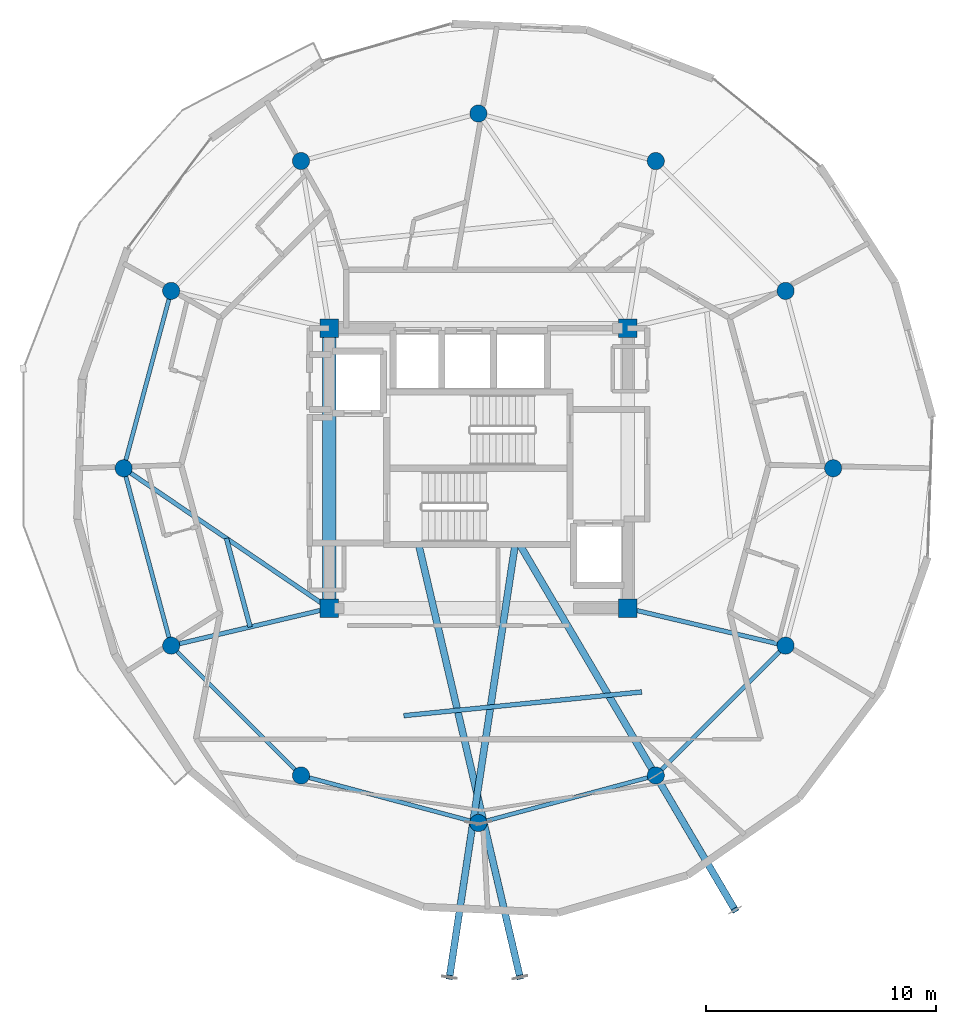
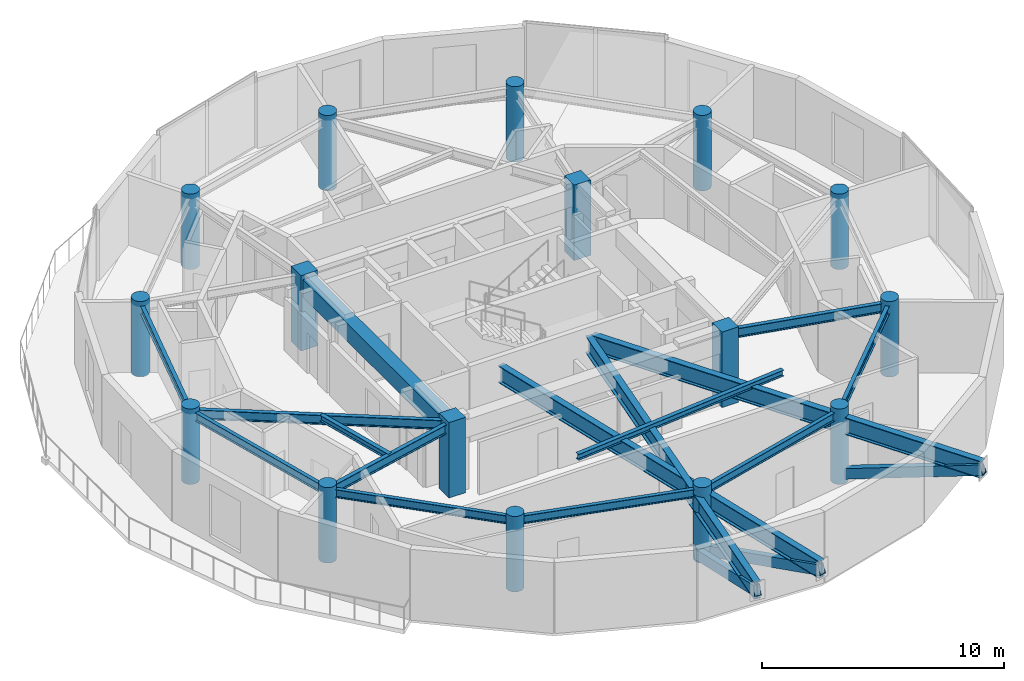
# One storey, part 1 of 16: 18 beams, 16 columns, 3 members.
"""IFC4 building model written with IfcOpenShell, lengths in metres."""

from ifc_helpers import new_model, si_unit, direction, frame, origin, origin_2d, place, context, subcontext, project, spatial, rectangle, hollow_rectangle, circle, i_section, extrude, material, material_profile, profile_set, type_object, element, save


model = new_model("IFC4")

# Units and contexts
model_context = context("Model", 3, precision=1e-05, world=origin(), true_north=direction((0.0, 1.0)))
body_context = subcontext(model_context, "Body", "Model", "MODEL_VIEW")
ifc_project = project(units=[si_unit("LENGTHUNIT", "METRE"), si_unit("AREAUNIT", "SQUARE_METRE"), si_unit("VOLUMEUNIT", "CUBIC_METRE"), si_unit("PLANEANGLEUNIT", "RADIAN"), si_unit("MASSUNIT", "GRAM", prefix="KILO")], contexts=[model_context])

# Site, building, storey
site_placement = place(None, origin())
site = spatial("IfcSite", under=ifc_project, at=site_placement, CompositionType="ELEMENT")
building_placement = place(site_placement, origin())
building = spatial("IfcBuilding", under=site, at=building_placement, Name="Solvirekh Grand Hotel", CompositionType="ELEMENT")
storey_placement = place(building_placement, frame((0.0, 0.0, 258.199951171875)))
storey = spatial("IfcBuildingStorey", under=building, at=storey_placement, Name="L67", CompositionType="ELEMENT", Elevation=258.199951171875)

# Columns
ifc_material_1 = material(Name="Concrete C50/60", Category="concrete")
ifc_material_profile_1 = material_profile(ifc_material_1, rectangle(XDim=0.800048828125, YDim=0.800048828125, at=origin_2d()), Name="RC 800X800")
ifc_profile_set_1 = profile_set([ifc_material_profile_1], Name="Concrete C50/60")
column_type_1 = type_object("IfcColumnType", Name="Col_Core_800", PredefinedType="COLUMN", material=ifc_profile_set_1)
for number, where, z_axis, x_axis, name in (
    (1, (-6.5, -6.10009765625, 0.0), (0.0, 0.0, 1.0), (1.0, 0.0, 0.0), "L67 core corner column CC1"),
    (2, (6.5, -6.10009765625, 0.0), (0.0, 0.0, 1.0), (1.0, 0.0, 0.0), "L67 core corner column CC2"),
    (3, (6.5, 6.10009765625, 0.0), (0.0, 0.0, 1.0), (1.0, 0.0, 0.0), "L67 core corner column CC3"),
    (4, (-6.5, 6.10009765625, 0.0), (0.0, 0.0, 1.0), (1.0, 0.0, 0.0), "L67 core corner column CC4"),
):
    element("IfcColumn", number, at=place(storey_placement, frame(where, z_axis=z_axis, x_axis=x_axis)), inside=storey, type_object=column_type_1, Name=name, PredefinedType="COLUMN", context=body_context, shape_type="SweptSolid", body=[
        extrude(rectangle(XDim=0.800048828125, YDim=0.800048828125, at=origin_2d()), origin(), (0.0, 0.0, 1.0), 3.800048828125),
    ])
ifc_material_profile_2 = material_profile(ifc_material_1, circle(Radius=0.375, at=origin_2d()), Name="RC CIRC D750")
ifc_profile_set_2 = profile_set([ifc_material_profile_2], Name="Concrete C50/60")
column_type_2 = type_object("IfcColumnType", Name="Col_Z4_D750", PredefinedType="COLUMN", material=ifc_profile_set_2)
for number, where, z_axis, x_axis, name in (
    (5, (15.449951171875, 0.0, 0.0), (0.0, 0.0, 1.0), (1.0, 0.0, 0.0), "L67 perimeter column P01"),
    (6, (13.3798828125, 7.72509765625, 0.0), (0.0, 0.0, 1.0), (1.0, 0.0, 0.0), "L67 perimeter column P02"),
    (7, (7.72509765625, 13.3798828125, 0.0), (0.0, 0.0, 1.0), (1.0, 0.0, 0.0), "L67 perimeter column P03"),
    (8, (0.0, 15.449951171875, 0.0), (0.0, 0.0, 1.0), (1.0, 0.0, 0.0), "L67 perimeter column P04"),
    (9, (-7.72509765625, 13.3798828125, 0.0), (0.0, 0.0, 1.0), (1.0, 0.0, 0.0), "L67 perimeter column P05"),
    (10, (-13.3798828125, 7.72509765625, 0.0), (0.0, 0.0, 1.0), (1.0, 0.0, 0.0), "L67 perimeter column P06"),
    (11, (-15.449951171875, 0.0, 0.0), (0.0, 0.0, 1.0), (1.0, 0.0, 0.0), "L67 perimeter column P07"),
    (12, (-13.3798828125, -7.72509765625, 0.0), (0.0, 0.0, 1.0), (1.0, 0.0, 0.0), "L67 perimeter column P08"),
    (13, (-7.72509765625, -13.3798828125, 0.0), (0.0, 0.0, 1.0), (1.0, 0.0, 0.0), "L67 perimeter column P09"),
    (14, (0.0, -15.449951171875, 0.0), (0.0, 0.0, 1.0), (1.0, 0.0, 0.0), "L67 perimeter column P10"),
    (15, (7.72509765625, -13.3798828125, 0.0), (0.0, 0.0, 1.0), (1.0, 0.0, 0.0), "L67 perimeter column P11"),
    (16, (13.3798828125, -7.72509765625, 0.0), (0.0, 0.0, 1.0), (1.0, 0.0, 0.0), "L67 perimeter column P12"),
):
    element("IfcColumn", number, at=place(storey_placement, frame(where, z_axis=z_axis, x_axis=x_axis)), inside=storey, type_object=column_type_2, Name=name, PredefinedType="COLUMN", context=body_context, shape_type="SweptSolid", body=[
        extrude(circle(Radius=0.375, at=origin_2d()), origin(), (0.0, 0.0, 1.0), 3.800048828125),
    ])

# Beams
ifc_material_profile_3 = material_profile(ifc_material_1, rectangle(XDim=0.60009765625, YDim=0.89990234375, at=origin_2d()), Name="RC BEAM 600X900")
ifc_profile_set_3 = profile_set([ifc_material_profile_3], Name="Concrete C50/60")
beam_type_1 = type_object("IfcBeamType", Name="Beam_Core_RC900", PredefinedType="BEAM", material=ifc_profile_set_3)
beam_1_placement = place(storey_placement, frame((-6.5, 6.10009765625, 3.1201171875), z_axis=(0.0, -1.0, 0.0), x_axis=(1.0, 0.0, 0.0)))
element("IfcBeam", 17, at=beam_1_placement, inside=storey, type_object=beam_type_1, Name="L67 core coupling ring beam 4", PredefinedType="BEAM", context=body_context, shape_type="SweptSolid", body=[
    extrude(rectangle(XDim=0.60009765625, YDim=0.89990234375, at=origin_2d()), origin(), (0.0, 0.0, 1.0), 12.2001953125),
])
ifc_material_2 = material(Name="Steel S460", Category="steel")
ifc_material_profile_4 = material_profile(ifc_material_2, i_section(OverallWidth=0.302001953125, OverallDepth=0.85498046875, WebThickness=0.01904296875, FlangeThickness=0.032958984375, FilletRadius=0.01806640625, at=origin_2d()), Name="W840X299")
ifc_profile_set_4 = profile_set([ifc_material_profile_4], Name="Steel S460")
beam_type_2 = type_object("IfcBeamType", Name="Beam_PoolTie_W840", PredefinedType="BEAM", material=ifc_profile_set_4)
beam_2_placement = place(storey_placement, frame((1.60009765625, -3.324951171875, 2.89208984375), z_axis=(-0.150041851116, -0.988679646252, 0.0), x_axis=(0.988679646252, -0.150041851116, 0.0)))
element("IfcBeam", 18, at=beam_2_placement, inside=storey, type_object=beam_type_2, Name="L68 sky-pool back-span tie girder 1A", PredefinedType="BEAM", context=body_context, shape_type="SweptSolid", body=[
    extrude(i_section(OverallWidth=0.302001953125, OverallDepth=0.85498046875, WebThickness=0.01904296875, FlangeThickness=0.032958984375, FilletRadius=0.01806640625, at=origin_2d()), origin(), (0.0, 0.0, 1.0), 12.263916015625),
])
beam_3_placement = place(storey_placement, frame((-0.239990234375, -15.449951171875, 2.89208984375), z_axis=(-0.150001068231, -0.988685834595, 0.0), x_axis=(0.988685834595, -0.150001068231, 0.0)))
element("IfcBeam", 19, at=beam_3_placement, inside=storey, type_object=beam_type_2, Name="L68 sky-pool cantilever tie girder 1B", PredefinedType="BEAM", context=body_context, shape_type="SweptSolid", body=[
    extrude(i_section(OverallWidth=0.302001953125, OverallDepth=0.85498046875, WebThickness=0.01904296875, FlangeThickness=0.032958984375, FilletRadius=0.01806640625, at=origin_2d()), origin(), (0.0, 0.0, 1.0), 6.800048828125),
])
beam_4_placement = place(storey_placement, frame((1.800048828125, -3.324951171875, 2.89208984375), z_axis=(0.507680939646, -0.861545160465, 0.0), x_axis=(0.861545160465, 0.507680939646, 0.0)))
element("IfcBeam", 20, at=beam_4_placement, inside=storey, type_object=beam_type_2, Name="L68 sky-pool back-span tie girder 2A", PredefinedType="BEAM", context=body_context, shape_type="SweptSolid", body=[
    extrude(i_section(OverallWidth=0.302001953125, OverallDepth=0.85498046875, WebThickness=0.01904296875, FlangeThickness=0.032958984375, FilletRadius=0.01806640625, at=origin_2d()), origin(), (0.0, 0.0, 1.0), 11.6708984375),
])
beam_5_placement = place(storey_placement, frame((7.72509765625, -13.3798828125, 2.89208984375), z_axis=(0.507605224824, -0.8615897723, 0.0), x_axis=(0.8615897723, 0.507605224824, 0.0)))
element("IfcBeam", 21, at=beam_5_placement, inside=storey, type_object=beam_type_2, Name="L68 sky-pool cantilever tie girder 2B", PredefinedType="BEAM", context=body_context, shape_type="SweptSolid", body=[
    extrude(i_section(OverallWidth=0.302001953125, OverallDepth=0.85498046875, WebThickness=0.01904296875, FlangeThickness=0.032958984375, FilletRadius=0.01806640625, at=origin_2d()), origin(), (0.0, 0.0, 1.0), 6.80029296875),
])
beam_6_placement = place(storey_placement, frame((-2.60009765625, -3.324951171875, 2.89208984375), z_axis=(0.228061233883, -0.973646790987, 0.0), x_axis=(0.973646790987, 0.228061233883, 0.0)))
element("IfcBeam", 22, at=beam_6_placement, inside=storey, type_object=beam_type_2, Name="L68 sky-pool back-span tie girder 3A", PredefinedType="BEAM", context=body_context, shape_type="SweptSolid", body=[
    extrude(i_section(OverallWidth=0.302001953125, OverallDepth=0.85498046875, WebThickness=0.01904296875, FlangeThickness=0.032958984375, FilletRadius=0.01806640625, at=origin_2d()), origin(), (0.0, 0.0, 1.0), 12.453125),
])
beam_7_placement = place(storey_placement, frame((0.239990234375, -15.449951171875, 2.89208984375), z_axis=(0.228114283569, -0.97363436342, 0.0), x_axis=(0.97363436342, 0.228114283569, 0.0)))
element("IfcBeam", 23, at=beam_7_placement, inside=storey, type_object=beam_type_2, Name="L68 sky-pool cantilever tie girder 3B", PredefinedType="BEAM", context=body_context, shape_type="SweptSolid", body=[
    extrude(i_section(OverallWidth=0.302001953125, OverallDepth=0.85498046875, WebThickness=0.01904296875, FlangeThickness=0.032958984375, FilletRadius=0.01806640625, at=origin_2d()), origin(), (0.0, 0.0, 1.0), 6.89990234375),
])
ifc_material_3 = material(Name="Steel S355", Category="steel")
ifc_material_profile_5 = material_profile(ifc_material_3, i_section(OverallWidth=0.194091796875, OverallDepth=0.468994140625, WebThickness=0.010986328125, FlangeThickness=0.01904296875, FilletRadius=0.012939453125, at=origin_2d()), Name="W460X106")
ifc_profile_set_5 = profile_set([ifc_material_profile_5], Name="Steel S355")
beam_type_3 = type_object("IfcBeamType", Name="Beam_Radial_W460H", PredefinedType="BEAM", material=ifc_profile_set_5)
beam_8_placement = place(storey_placement, frame((-6.5, -6.10009765625, 3.3349609375), z_axis=(-0.826319370306, 0.563201827285, 0.0), x_axis=(-0.563201827285, -0.826319370306, 0.0)))
element("IfcBeam", 24, at=beam_8_placement, inside=storey, type_object=beam_type_3, Name="L67 radial floor beam R07", PredefinedType="BEAM", context=body_context, shape_type="SweptSolid", body=[
    extrude(i_section(OverallWidth=0.194091796875, OverallDepth=0.468994140625, WebThickness=0.010986328125, FlangeThickness=0.01904296875, FilletRadius=0.012939453125, at=origin_2d()), origin(), (0.0, 0.0, 1.0), 10.8310546875),
])
for number, where, z_axis, x_axis, name in (
    (25, (-6.5, -6.10009765625, 3.3349609375), (-0.973221147544, -0.229870828888, 0.0), (0.229870828888, -0.973221147544, 0.0), "L67 radial floor beam R08"),
    (26, (6.5, -6.10009765625, 3.3349609375), (0.973221147544, -0.229870828888, 0.0), (0.229870828888, 0.973221147544, 0.0), "L67 radial floor beam R12"),
):
    element("IfcBeam", number, at=place(storey_placement, frame(where, z_axis=z_axis, x_axis=x_axis)), inside=storey, type_object=beam_type_3, Name=name, PredefinedType="BEAM", context=body_context, shape_type="SweptSolid", body=[
        extrude(i_section(OverallWidth=0.194091796875, OverallDepth=0.468994140625, WebThickness=0.010986328125, FlangeThickness=0.01904296875, FilletRadius=0.012939453125, at=origin_2d()), origin(), (0.0, 0.0, 1.0), 7.069091796875),
    ])
ifc_material_profile_6 = material_profile(ifc_material_3, i_section(OverallWidth=0.202880859375, OverallDepth=0.302978515625, WebThickness=0.008056640625, FlangeThickness=0.012939453125, FilletRadius=0.010009765625, at=origin_2d()), Name="W310X60")
ifc_profile_set_6 = profile_set([ifc_material_profile_6], Name="Steel S355")
beam_type_4 = type_object("IfcBeamType", Name="Joist_Floor_W310", PredefinedType="JOIST", material=ifc_profile_set_6)
beam_9_placement = place(storey_placement, frame((-10.97509765625, -3.050048828125, 3.41796875), z_axis=(0.258893772796, -0.965905799966, 0.0), x_axis=(0.965905799966, 0.258893772796, 0.0)))
element("IfcBeam", 27, at=beam_9_placement, inside=storey, type_object=beam_type_4, Name="L67 secondary composite floor joist 7", PredefinedType="JOIST", context=body_context, shape_type="SweptSolid", body=[
    extrude(i_section(OverallWidth=0.202880859375, OverallDepth=0.302978515625, WebThickness=0.008056640625, FlangeThickness=0.012939453125, FilletRadius=0.010009765625, at=origin_2d()), origin(), (0.0, 0.0, 1.0), 3.998291015625),
])
beam_10_placement = place(storey_placement, frame((-3.25, -10.77490234375, 3.41796875), z_axis=(0.995049485097, 0.099380693338, 0.0), x_axis=(-0.099380693338, 0.995049485097, 0.0)))
element("IfcBeam", 28, at=beam_10_placement, inside=storey, type_object=beam_type_4, Name="L67 secondary composite floor joist 10", PredefinedType="JOIST", context=body_context, shape_type="SweptSolid", body=[
    extrude(i_section(OverallWidth=0.202880859375, OverallDepth=0.302978515625, WebThickness=0.008056640625, FlangeThickness=0.012939453125, FilletRadius=0.010009765625, at=origin_2d()), origin(), (0.0, 0.0, 1.0), 10.41357421875),
])
ifc_material_profile_7 = material_profile(ifc_material_3, i_section(OverallWidth=0.180908203125, OverallDepth=0.4169921875, WebThickness=0.010009765625, FlangeThickness=0.01611328125, FilletRadius=0.011962890625, at=origin_2d()), Name="W410X85")
ifc_profile_set_7 = profile_set([ifc_material_profile_7], Name="Steel S355")
beam_type_5 = type_object("IfcBeamType", Name="Spandrel_Ring_W410", PredefinedType="SPANDREL", material=ifc_profile_set_7)
for number, where, z_axis, x_axis, name in (
    (29, (-13.3798828125, 7.72509765625, 3.361083984375), (-0.258834757072, -0.965921616143, 0.0), (0.965921616143, -0.258834757072, 0.0), "L67 perimeter spandrel beam 6"),
    (30, (-15.449951171875, 0.0, 3.361083984375), (0.258834757072, -0.965921616143, 0.0), (0.965921616143, 0.258834757072, 0.0), "L67 perimeter spandrel beam 7"),
):
    element("IfcBeam", number, at=place(storey_placement, frame(where, z_axis=z_axis, x_axis=x_axis)), inside=storey, type_object=beam_type_5, Name=name, PredefinedType="SPANDREL", context=body_context, shape_type="SweptSolid", body=[
        extrude(i_section(OverallWidth=0.180908203125, OverallDepth=0.4169921875, WebThickness=0.010009765625, FlangeThickness=0.01611328125, FilletRadius=0.011962890625, at=origin_2d()), origin(), (0.0, 0.0, 1.0), 7.99755859375),
    ])
beam_11_placement = place(storey_placement, frame((-13.3798828125, -7.72509765625, 3.361083984375), z_axis=(0.707106781187, -0.707106781187, 0.0), x_axis=(0.707106781187, 0.707106781187, 0.0)))
element("IfcBeam", 31, at=beam_11_placement, inside=storey, type_object=beam_type_5, Name="L67 perimeter spandrel beam 8", PredefinedType="SPANDREL", context=body_context, shape_type="SweptSolid", body=[
    extrude(i_section(OverallWidth=0.180908203125, OverallDepth=0.4169921875, WebThickness=0.010009765625, FlangeThickness=0.01611328125, FilletRadius=0.011962890625, at=origin_2d()), origin(), (0.0, 0.0, 1.0), 7.9970703125),
])
for number, where, z_axis, x_axis, name in (
    (32, (-7.72509765625, -13.3798828125, 3.361083984375), (0.965921616143, -0.258834757072, 0.0), (0.258834757072, 0.965921616143, 0.0), "L67 perimeter spandrel beam 9"),
    (33, (0.0, -15.449951171875, 3.361083984375), (0.965921616143, 0.258834757072, 0.0), (-0.258834757072, 0.965921616143, 0.0), "L67 perimeter spandrel beam 10"),
):
    element("IfcBeam", number, at=place(storey_placement, frame(where, z_axis=z_axis, x_axis=x_axis)), inside=storey, type_object=beam_type_5, Name=name, PredefinedType="SPANDREL", context=body_context, shape_type="SweptSolid", body=[
        extrude(i_section(OverallWidth=0.180908203125, OverallDepth=0.4169921875, WebThickness=0.010009765625, FlangeThickness=0.01611328125, FilletRadius=0.011962890625, at=origin_2d()), origin(), (0.0, 0.0, 1.0), 7.99755859375),
    ])
beam_12_placement = place(storey_placement, frame((7.72509765625, -13.3798828125, 3.361083984375), z_axis=(0.707106781187, 0.707106781187, 0.0), x_axis=(-0.707106781187, 0.707106781187, 0.0)))
element("IfcBeam", 34, at=beam_12_placement, inside=storey, type_object=beam_type_5, Name="L67 perimeter spandrel beam 11", PredefinedType="SPANDREL", context=body_context, shape_type="SweptSolid", body=[
    extrude(i_section(OverallWidth=0.180908203125, OverallDepth=0.4169921875, WebThickness=0.010009765625, FlangeThickness=0.01611328125, FilletRadius=0.011962890625, at=origin_2d()), origin(), (0.0, 0.0, 1.0), 7.9970703125),
])

# Members
ifc_material_profile_8 = material_profile(ifc_material_2, hollow_rectangle(XDim=0.300048828125, YDim=0.5, WallThickness=0.02001953125, at=origin_2d()), Name="RHS 500X300X20")
ifc_profile_set_8 = profile_set([ifc_material_profile_8], Name="Steel S460")
member_type = type_object("IfcMemberType", Name="Strut_Pool_RHS500", PredefinedType="STRUT", material=ifc_profile_set_8)
member_1_placement = place(storey_placement, frame((-0.239990234375, -15.449951171875, 0.35009765625), z_axis=(-0.140504907282, -0.926094814918, 0.350152487941), x_axis=(0.988685834595, -0.150001068231, 0.0)))
element("IfcMember", 35, at=member_1_placement, inside=storey, type_object=member_type, Name="L68 sky-pool raking compression strut 1", PredefinedType="STRUT", context=body_context, shape_type="SweptSolid", body=[
    extrude(hollow_rectangle(XDim=0.300048828125, YDim=0.5, WallThickness=0.02001953125, at=origin_2d()), origin(), (0.0, 0.0, 1.0), 7.259765625),
])
member_2_placement = place(storey_placement, frame((7.72509765625, -13.3798828125, 0.35009765625), z_axis=(0.475472601073, -0.80704908078, 0.350139382019), x_axis=(0.8615897723, 0.507605224824, 0.0)))
element("IfcMember", 36, at=member_2_placement, inside=storey, type_object=member_type, Name="L68 sky-pool raking compression strut 2", PredefinedType="STRUT", context=body_context, shape_type="SweptSolid", body=[
    extrude(hollow_rectangle(XDim=0.300048828125, YDim=0.5, WallThickness=0.02001953125, at=origin_2d()), origin(), (0.0, 0.0, 1.0), 7.260009765625),
])
member_3_placement = place(storey_placement, frame((0.239990234375, -15.449951171875, 0.35009765625), z_axis=(0.214050379047, -0.913606992434, 0.345694516307), x_axis=(0.97363436342, 0.228114283569, 0.0)))
element("IfcMember", 37, at=member_3_placement, inside=storey, type_object=member_type, Name="L68 sky-pool raking compression strut 3", PredefinedType="STRUT", context=body_context, shape_type="SweptSolid", body=[
    extrude(hollow_rectangle(XDim=0.300048828125, YDim=0.5, WallThickness=0.02001953125, at=origin_2d()), origin(), (0.0, 0.0, 1.0), 7.353271484375),
])

save(model, "model.ifc")
